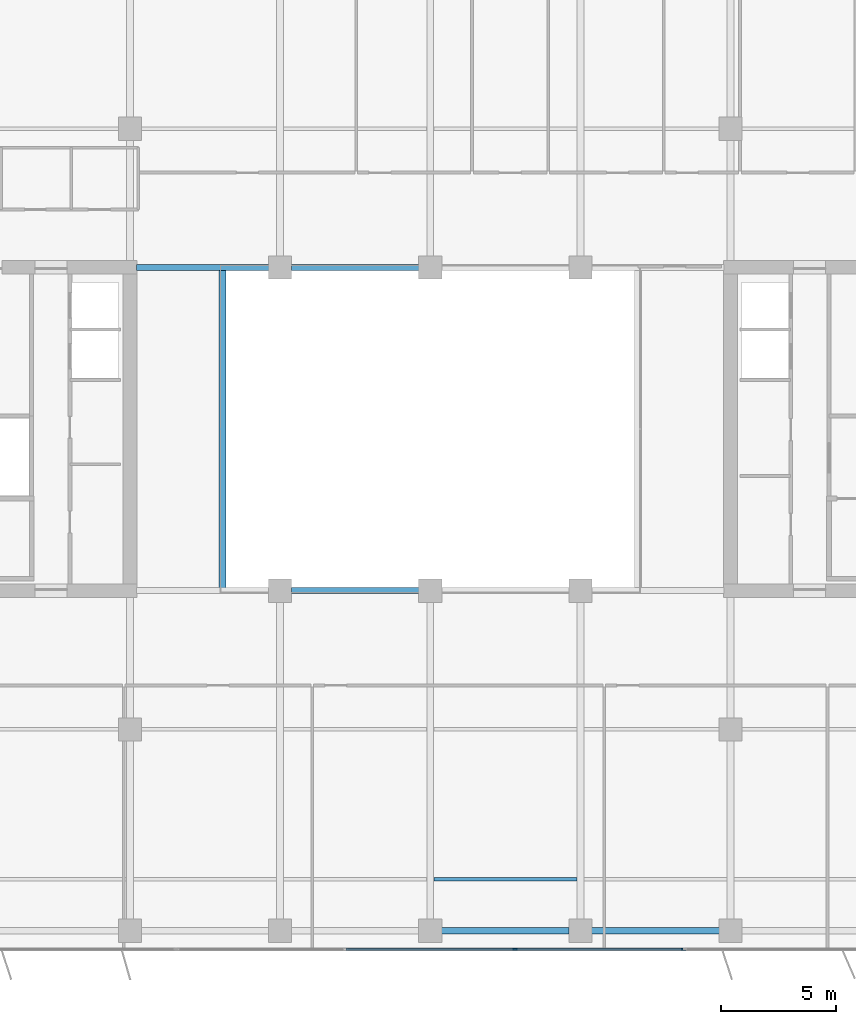
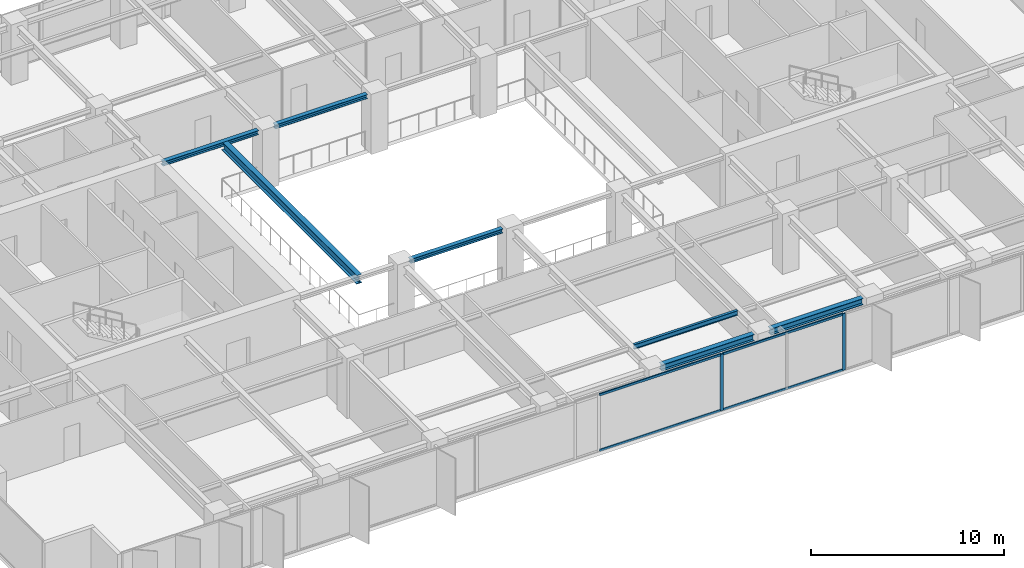
# One storey, part 5 of 22: 7 beams, 6 members, 1 element without a shape of its own.
"""IFC4 building model written with IfcOpenShell, lengths in metres."""

from ifc_helpers import new_model, si_unit, direction, frame, origin, origin_2d, place, context, subcontext, project, spatial, rectangle, i_section, extrude, material, layer, layer_set, material_profile, profile_set, type_object, element, aggregate, save


model = new_model("IFC4")

# Units and contexts
model_context = context("Model", 3, precision=1e-05, world=origin(), true_north=direction((0.0, 1.0)))
body_context = subcontext(model_context, "Body", "Model", "MODEL_VIEW")
ifc_project = project(units=[si_unit("LENGTHUNIT", "METRE"), si_unit("AREAUNIT", "SQUARE_METRE"), si_unit("VOLUMEUNIT", "CUBIC_METRE"), si_unit("PLANEANGLEUNIT", "RADIAN"), si_unit("MASSUNIT", "GRAM", prefix="KILO")], contexts=[model_context])

# Site, building, storey
site_placement = place(None, origin())
site = spatial("IfcSite", under=ifc_project, at=site_placement, CompositionType="ELEMENT")
building_placement = place(site_placement, origin())
building = spatial("IfcBuilding", under=site, at=building_placement, Name="Putna Gate Headquarters", CompositionType="ELEMENT")
storey_placement = place(building_placement, frame((0.0, 0.0, 189.800048828125)))
storey = spatial("IfcBuildingStorey", under=building, at=storey_placement, Name="L47", CompositionType="ELEMENT", Elevation=189.800048828125)

# Beams
ifc_material_1 = material(Name="Steel S355J2", Category="steel")
ifc_material_profile_1 = material_profile(ifc_material_1, i_section(OverallWidth=0.260009765625, OverallDepth=0.260009765625, WebThickness=0.010009765625, FlangeThickness=0.017578125, at=origin_2d()), Name="Steel S355J2")
ifc_profile_set_1 = profile_set([ifc_material_profile_1], Name="Steel S355J2")
beam_type_1 = type_object("IfcBeamType", Name="BM-ATRIUM-HEB260", PredefinedType="BEAM", material=ifc_profile_set_1)
beam_1_placement = place(storey_placement, frame((32.988037109375, 19.0, 3.44189453125), z_axis=(1.0, 0.0, 0.0), x_axis=(0.0, 1.0, 0.0)))
element("IfcBeam", 1, at=beam_1_placement, inside=storey, type_object=beam_type_1, Name="L47 Atrium Edge Beam AS2", PredefinedType="BEAM", context=body_context, shape_type="SweptSolid", body=[
    extrude(i_section(OverallWidth=0.260009765625, OverallDepth=0.260009765625, WebThickness=0.010009765625, FlangeThickness=0.017578125, at=origin_2d()), origin(), (0.0, 0.0, 1.0), 5.52392578125),
])
beam_2_placement = place(storey_placement, frame((26.284912109375, 33.0, 3.44189453125), z_axis=(1.0, 0.0, 0.0), x_axis=(0.0, 1.0, 0.0)))
element("IfcBeam", 2, at=beam_2_placement, inside=storey, type_object=beam_type_1, Name="L47 Atrium Edge Beam AN1", PredefinedType="BEAM", context=body_context, shape_type="SweptSolid", body=[
    extrude(i_section(OverallWidth=0.260009765625, OverallDepth=0.260009765625, WebThickness=0.010009765625, FlangeThickness=0.017578125, at=origin_2d()), origin(), (0.0, 0.0, 1.0), 5.72705078125),
])
beam_3_placement = place(storey_placement, frame((32.988037109375, 33.0, 3.44189453125), z_axis=(1.0, 0.0, 0.0), x_axis=(0.0, 1.0, 0.0)))
element("IfcBeam", 3, at=beam_3_placement, inside=storey, type_object=beam_type_1, Name="L47 Atrium Edge Beam AN2", PredefinedType="BEAM", context=body_context, shape_type="SweptSolid", body=[
    extrude(i_section(OverallWidth=0.260009765625, OverallDepth=0.260009765625, WebThickness=0.010009765625, FlangeThickness=0.017578125, at=origin_2d()), origin(), (0.0, 0.0, 1.0), 5.52392578125),
])
ifc_material_profile_2 = material_profile(ifc_material_1, i_section(OverallWidth=0.300048828125, OverallDepth=0.550048828125, WebThickness=0.014892578125, FlangeThickness=0.029052734375, at=origin_2d()), Name="Steel S355J2")
ifc_profile_set_2 = profile_set([ifc_material_profile_2], Name="Steel S355J2")
beam_type_2 = type_object("IfcBeamType", Name="BM-GIRD-Z3-HEB550", PredefinedType="USERDEFINED", material=ifc_profile_set_2)
beam_4_placement = place(storey_placement, frame((30.0, 19.010009765625, 3.296875), z_axis=(0.0, 1.0, 0.0), x_axis=(-1.0, 0.0, 0.0)))
element("IfcBeam", 4, at=beam_4_placement, inside=storey, type_object=beam_type_2, Name="L47 Atrium Trim Girder AW", ObjectType="GIRDER", PredefinedType="USERDEFINED", context=body_context, shape_type="SweptSolid", body=[
    extrude(i_section(OverallWidth=0.300048828125, OverallDepth=0.550048828125, WebThickness=0.014892578125, FlangeThickness=0.029052734375, at=origin_2d()), origin(), (0.0, 0.0, 1.0), 13.97998046875),
])
ifc_material_profile_3 = material_profile(ifc_material_1, i_section(OverallWidth=0.14990234375, OverallDepth=0.300048828125, WebThickness=0.007080078125, FlangeThickness=0.0107421875, at=origin_2d()), Name="Steel S355J2")
ifc_profile_set_3 = profile_set([ifc_material_profile_3], Name="Steel S355J2")
beam_type_3 = type_object("IfcBeamType", Name="BM-SEC-Z3-IPE300", PredefinedType="JOIST", material=ifc_profile_set_3)
beam_5_placement = place(storey_placement, frame((39.154052734375, 6.5, 3.421875), z_axis=(1.0, 0.0, 0.0), x_axis=(0.0, 1.0, 0.0)))
element("IfcBeam", 5, at=beam_5_placement, inside=storey, type_object=beam_type_3, Name="L47 South Secondary Beam 5", PredefinedType="JOIST", context=body_context, shape_type="SweptSolid", body=[
    extrude(i_section(OverallWidth=0.14990234375, OverallDepth=0.300048828125, WebThickness=0.007080078125, FlangeThickness=0.0107421875, at=origin_2d()), origin(), (0.0, 0.0, 1.0), 6.19189453125),
])
ifc_material_profile_4 = material_profile(ifc_material_1, i_section(OverallWidth=0.300048828125, OverallDepth=0.39990234375, WebThickness=0.013427734375, FlangeThickness=0.02392578125, at=origin_2d()), Name="Steel S355J2")
ifc_profile_set_4 = profile_set([ifc_material_profile_4], Name="Steel S355J2")
beam_type_4 = type_object("IfcBeamType", Name="BM-SPAN-Z3-HEB400", PredefinedType="SPANDREL", material=ifc_profile_set_4)
for number, where, z_axis, x_axis, name in (
    (6, (39.488037109375, 4.280029296875, 3.3720703125), (1.0, 0.0, 0.0), (0.0, 1.0, 0.0), "L47 S Perimeter Spandrel 5"),
    (7, (45.988037109375, 4.280029296875, 3.3720703125), (1.0, 0.0, 0.0), (0.0, 1.0, 0.0), "L47 S Perimeter Spandrel 6"),
):
    element("IfcBeam", number, at=place(storey_placement, frame(where, z_axis=z_axis, x_axis=x_axis)), inside=storey, type_object=beam_type_4, Name=name, PredefinedType="SPANDREL", context=body_context, shape_type="SweptSolid", body=[
        extrude(i_section(OverallWidth=0.300048828125, OverallDepth=0.39990234375, WebThickness=0.013427734375, FlangeThickness=0.02392578125, at=origin_2d()), origin(), (0.0, 0.0, 1.0), 5.52392578125),
    ])

# Curtain wall, members
ifc_material_2 = material(Name="Anodised bronze aluminium curtain wall", Category="aluminium")
ifc_layer = layer(ifc_material_2, 0.179931640625)
ifc_layer_set = layer_set([ifc_layer], Name="Anodised bronze aluminium curtain wall")
curtain_wall_type = type_object("IfcCurtainWallType", Name="CW-SYS-ATR", PredefinedType="USERDEFINED", material=ifc_layer_set)
curtain_wall_placement = place(storey_placement, origin())
curtain_wall = element("IfcCurtainWall", 8, at=curtain_wall_placement, inside=storey, type_object=curtain_wall_type, Name="L47 South Atrium Clear Glazing", ObjectType="ATRIUM GLAZING", PredefinedType="USERDEFINED")
ifc_material_3 = material(Name="Anodised bronze aluminium EN AW-6060", Category="aluminium")
ifc_material_profile_5 = material_profile(ifc_material_3, rectangle(XDim=0.070068359375, YDim=0.179931640625, at=origin_2d()), Name="Anodised bronze aluminium EN AW-6060")
ifc_profile_set_5 = profile_set([ifc_material_profile_5], Name="Anodised bronze aluminium EN AW-6060")
member_type_1 = type_object("IfcMemberType", Name="MULL-CWM-AT", PredefinedType="MULLION", material=ifc_profile_set_5)
member_1_placement = place(storey_placement, frame((42.666748046875, 3.47998046875, 0.0), z_axis=(0.0, 0.0, 1.0), x_axis=(0.0, 1.0, 0.0)))
member_1 = element("IfcMember", 9, at=member_1_placement, type_object=member_type_1, Name="CWS-AT mullion 3", PredefinedType="MULLION", context=body_context, shape_type="SweptSolid", body=[
    extrude(rectangle(XDim=0.070068359375, YDim=0.179931640625, at=origin_2d()), origin(), (0.0, 0.0, 1.0), 3.572021484375),
])
member_2_placement = place(storey_placement, frame((49.965087890625, 3.47998046875, 0.0), z_axis=(0.0, 0.0, 1.0), x_axis=(0.0, 1.0, 0.0)))
member_2 = element("IfcMember", 10, at=member_2_placement, type_object=member_type_1, Name="CWS-AT mullion 4", PredefinedType="MULLION", context=body_context, shape_type="SweptSolid", body=[
    extrude(rectangle(XDim=0.070068359375, YDim=0.179931640625, at=origin_2d()), origin(), (0.0, 0.0, 1.0), 3.572021484375),
])
ifc_material_profile_6 = material_profile(ifc_material_3, rectangle(XDim=0.070068359375, YDim=0.139892578125, at=origin_2d()), Name="Anodised bronze aluminium EN AW-6060")
ifc_profile_set_6 = profile_set([ifc_material_profile_6], Name="Anodised bronze aluminium EN AW-6060")
member_type_2 = type_object("IfcMemberType", Name="TRAN-CWT-AT", PredefinedType="USERDEFINED", material=ifc_profile_set_6)
member_3_placement = place(storey_placement, frame((35.368408203125, 3.47998046875, 0.034912109375), z_axis=(1.0, 0.0, 0.0), x_axis=(0.0, 1.0, 0.0)))
member_3 = element("IfcMember", 11, at=member_3_placement, type_object=member_type_2, Name="CWS-AT transom 2.1", ObjectType="TRANSOM", PredefinedType="USERDEFINED", context=body_context, shape_type="SweptSolid", body=[
    extrude(rectangle(XDim=0.070068359375, YDim=0.139892578125, at=origin_2d()), origin(), (0.0, 0.0, 1.0), 7.26318359375),
])
member_4_placement = place(storey_placement, frame((35.368408203125, 3.47998046875, 3.536865234375), z_axis=(1.0, 0.0, 0.0), x_axis=(0.0, 1.0, 0.0)))
member_4 = element("IfcMember", 12, at=member_4_placement, type_object=member_type_2, Name="CWS-AT transom 2.2", ObjectType="TRANSOM", PredefinedType="USERDEFINED", context=body_context, shape_type="SweptSolid", body=[
    extrude(rectangle(XDim=0.070068359375, YDim=0.139892578125, at=origin_2d()), origin(), (0.0, 0.0, 1.0), 7.26318359375),
])
member_5_placement = place(storey_placement, frame((42.70166015625, 3.47998046875, 0.034912109375), z_axis=(1.0, 0.0, 0.0), x_axis=(0.0, 1.0, 0.0)))
member_5 = element("IfcMember", 13, at=member_5_placement, type_object=member_type_2, Name="CWS-AT transom 3.1", ObjectType="TRANSOM", PredefinedType="USERDEFINED", context=body_context, shape_type="SweptSolid", body=[
    extrude(rectangle(XDim=0.070068359375, YDim=0.139892578125, at=origin_2d()), origin(), (0.0, 0.0, 1.0), 7.228271484375),
])
member_6_placement = place(storey_placement, frame((42.70166015625, 3.47998046875, 3.536865234375), z_axis=(1.0, 0.0, 0.0), x_axis=(0.0, 1.0, 0.0)))
member_6 = element("IfcMember", 14, at=member_6_placement, type_object=member_type_2, Name="CWS-AT transom 3.2", ObjectType="TRANSOM", PredefinedType="USERDEFINED", context=body_context, shape_type="SweptSolid", body=[
    extrude(rectangle(XDim=0.070068359375, YDim=0.139892578125, at=origin_2d()), origin(), (0.0, 0.0, 1.0), 7.228271484375),
])
aggregate(curtain_wall, [member_1, member_2, member_3, member_4, member_5, member_6])

save(model, "model.ifc")
